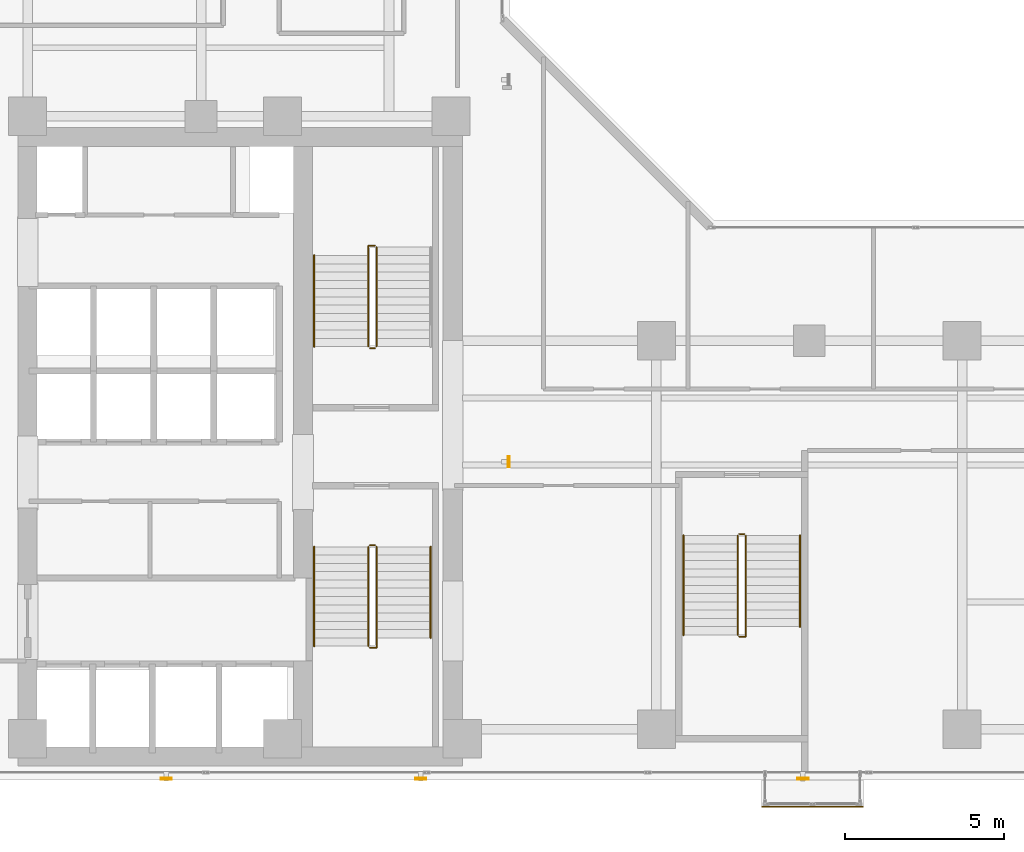
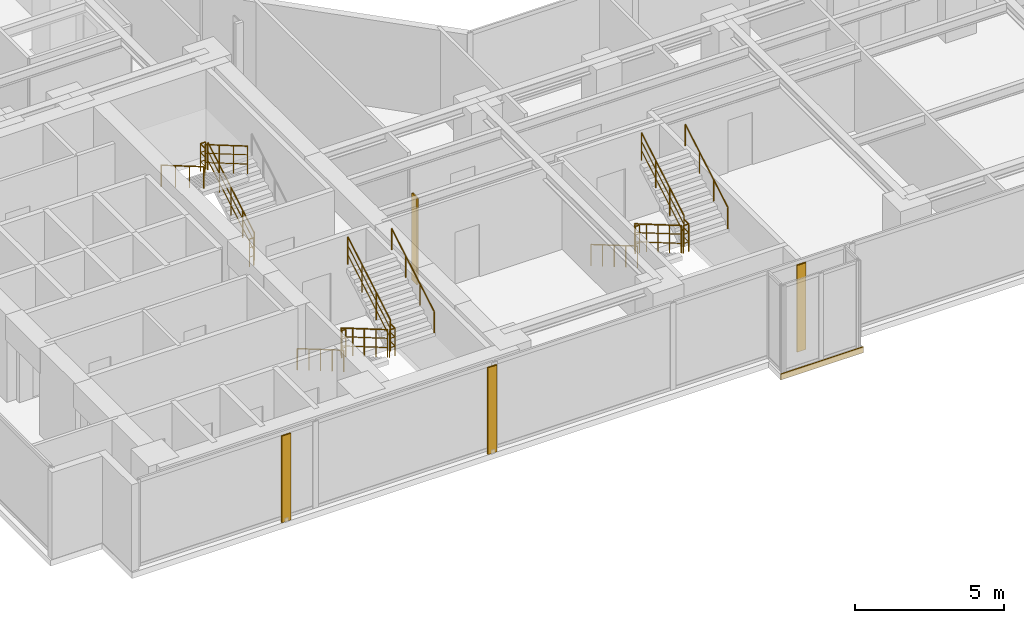
# One storey, part 23 of 24: 17 railings, 4 shading devices, 1 covering.
"""IFC4 building model written with IfcOpenShell, lengths in metres."""

from ifc_helpers import new_model, si_unit, direction, frame, origin, origin_2d, place, context, subcontext, project, spatial, rectangle, hollow_rectangle, circle, extrude, material, layer, layer_set, material_profile, profile_set, type_object, element, save


model = new_model("IFC4")

# Units and contexts
model_context = context("Model", 3, precision=1e-05, world=origin(), true_north=direction((0.0, 1.0)))
body_context = subcontext(model_context, "Body", "Model", "MODEL_VIEW")
ifc_project = project(units=[si_unit("LENGTHUNIT", "METRE"), si_unit("AREAUNIT", "SQUARE_METRE"), si_unit("VOLUMEUNIT", "CUBIC_METRE"), si_unit("PLANEANGLEUNIT", "RADIAN"), si_unit("MASSUNIT", "GRAM", prefix="KILO")], contexts=[model_context])

# Site, building, storey
site_placement = place(None, origin())
site = spatial("IfcSite", under=ifc_project, at=site_placement, CompositionType="ELEMENT")
building_placement = place(site_placement, origin())
building = spatial("IfcBuilding", under=site, at=building_placement, Name="Kolvaren Waterfront Exchange", CompositionType="ELEMENT")
storey_placement = place(building_placement, frame((0.0, 0.0, 157.60009765625)))
storey = spatial("IfcBuildingStorey", under=building, at=storey_placement, Name="L40", CompositionType="ELEMENT", Elevation=157.60009765625)

# Covering
ifc_material_1 = material(Name="Anodised bronze fascia aluminium", Category="aluminium")
ifc_layer = layer(ifc_material_1, 0.034912109375, Name="Anodised bronze fascia aluminium")
ifc_layer_set = layer_set([ifc_layer], Name="Anodised bronze fascia aluminium")
covering_type = type_object("IfcCoveringType", Name="ARC-CLAD-BRONZE-35", PredefinedType="CLADDING", material=ifc_layer_set)
covering_placement = place(storey_placement, frame((32.10009765625, 2.77001953125, -0.22021484375), z_axis=(0.0, 0.0, 1.0), x_axis=(1.0, 0.0, 0.0)))
element("IfcCovering", 1, at=covering_placement, inside=storey, type_object=covering_type, Name="L40 ribbed anodised bronze bay-box fascia", PredefinedType="CLADDING", context=body_context, shape_type="SweptSolid", body=[
    extrude(rectangle(XDim=3.199951171875, YDim=0.034912109375, at=origin_2d()), origin(), (0.0, 0.0, 1.0), 0.239990234375),
])

# Shading devices
ifc_material_2 = material(Name="Anodised bronze aluminium 6063-T6", Category="aluminium")
ifc_material_profile = material_profile(ifc_material_2, hollow_rectangle(XDim=0.06005859375, YDim=0.35009765625, WallThickness=0.0048828125, at=origin_2d()), Name="BRZ-FIN-350x60x5")
ifc_profile_set = profile_set([ifc_material_profile], Name="Anodised bronze aluminium 6063-T6")
shading_device_type = type_object("IfcShadingDeviceType", Name="ARC-FIN-350", PredefinedType="USERDEFINED", material=ifc_profile_set)
for number, where, z_axis, x_axis, name in (
    (2, (11.800048828125, 3.639892578125, 0.0), (0.0, 0.0, 1.0), (0.0, -1.0, 0.0), "L40 anodised bronze solar shading fin FIN-L40-S1"),
    (3, (19.800048828125, 3.639892578125, 0.0), (0.0, 0.0, 1.0), (0.0, -1.0, 0.0), "L40 anodised bronze solar shading fin FIN-L40-S2"),
    (4, (31.800048828125, 3.639892578125, 0.0), (0.0, 0.0, 1.0), (0.0, -1.0, 0.0), "L40 anodised bronze solar shading fin FIN-L40-S3"),
    (5, (22.56005859375, 13.60009765625, 0.0), (0.0, 0.0, 1.0), (1.0, 0.0, 0.0), "L40 anodised bronze solar shading fin FIN-L40-E1"),
):
    element("IfcShadingDevice", number, at=place(storey_placement, frame(where, z_axis=z_axis, x_axis=x_axis)), inside=storey, type_object=shading_device_type, Name=name, ObjectType="SOLAR FIN", PredefinedType="USERDEFINED", context=body_context, shape_type="SweptSolid", body=[
        extrude(hollow_rectangle(XDim=0.06005859375, YDim=0.35009765625, WallThickness=0.0048828125, at=origin_2d()), origin(), (0.0, 0.0, 1.0), 3.559814453125),
    ])

# Railings
ifc_material_3 = material(Name="Stainless steel 316", Category="steel")
railing_type_1 = type_object("IfcRailingType", Name="ARC-GUARD-STAIR", PredefinedType="GUARDRAIL", material=ifc_material_3)
railing_1_placement = place(storey_placement, frame((18.14990234375, 10.929931640625, 0.15185546875)))
element("IfcRailing", 6, at=railing_1_placement, inside=storey, type_object=railing_type_1, Name="L40 ST1 stair guard 1", PredefinedType="GUARDRAIL", context=body_context, shape_type="SweptSolid", body=[
    extrude(circle(Radius=0.02392578125, at=origin_2d()), frame((0.0, 0.0, 1.1259765625), z_axis=(0.0, -0.86329090724, 0.504706656858), x_axis=(1.0, 0.0, 0.0)), (0.0, 0.0, 1.0), 3.614013671875),
    extrude(circle(Radius=0.01611328125, at=origin_2d()), frame((0.0, 0.0, 0.390869140625), z_axis=(0.0, -0.86329090724, 0.504706656858), x_axis=(1.0, 0.0, 0.0)), (0.0, 0.0, 1.0), 3.614013671875),
    extrude(circle(Radius=0.01611328125, at=origin_2d()), frame((0.0, 0.0, 0.7705078125), z_axis=(0.0, -0.86329090724, 0.504706656858), x_axis=(1.0, 0.0, 0.0)), (0.0, 0.0, 1.0), 3.614013671875),
    extrude(circle(Radius=0.02099609375, at=origin_2d()), origin(), (0.0, 0.0, 1.0), 1.101806640625),
    extrude(circle(Radius=0.02099609375, at=origin_2d()), frame((0.0, -0.780029296875, 0.4560546875)), (0.0, 0.0, 1.0), 1.101806640625),
    extrude(circle(Radius=0.02099609375, at=origin_2d()), frame((0.0, -1.56005859375, 0.912109375)), (0.0, 0.0, 1.0), 1.101806640625),
    extrude(circle(Radius=0.02099609375, at=origin_2d()), frame((0.0, -2.33984375, 1.367919921875)), (0.0, 0.0, 1.0), 1.101806640625),
    extrude(circle(Radius=0.02099609375, at=origin_2d()), frame((0.0, -3.119873046875, 1.823974609375)), (0.0, 0.0, 1.0), 1.101806640625),
])
railing_2_placement = place(storey_placement, frame((18.199951171875, 7.760009765625, 1.975830078125)))
element("IfcRailing", 7, at=railing_2_placement, inside=storey, type_object=railing_type_1, Name="L40 ST1 stair guard 2", PredefinedType="GUARDRAIL", context=body_context, shape_type="SweptSolid", body=[
    extrude(circle(Radius=0.02392578125, at=origin_2d()), frame((0.0, 0.0, 1.1259765625), z_axis=(1.0, 0.0, 0.0), x_axis=(0.0, 1.0, 0.0)), (0.0, 0.0, 1.0), 0.2099609375),
    extrude(circle(Radius=0.01611328125, at=origin_2d()), frame((0.0, 0.0, 0.390869140625), z_axis=(1.0, 0.0, 0.0), x_axis=(0.0, 1.0, 0.0)), (0.0, 0.0, 1.0), 0.2099609375),
    extrude(circle(Radius=0.01611328125, at=origin_2d()), frame((0.0, 0.0, 0.7705078125), z_axis=(1.0, 0.0, 0.0), x_axis=(0.0, 1.0, 0.0)), (0.0, 0.0, 1.0), 0.2099609375),
    extrude(circle(Radius=0.02392578125, at=origin_2d()), frame((0.2099609375, 0.0, 1.1259765625), z_axis=(0.0, 1.0, 0.0), x_axis=(-1.0, 0.0, 0.0)), (0.0, 0.0, 1.0), 0.31005859375),
    extrude(circle(Radius=0.01611328125, at=origin_2d()), frame((0.2099609375, 0.0, 0.390869140625), z_axis=(0.0, 1.0, 0.0), x_axis=(-1.0, 0.0, 0.0)), (0.0, 0.0, 1.0), 0.31005859375),
    extrude(circle(Radius=0.01611328125, at=origin_2d()), frame((0.2099609375, 0.0, 0.7705078125), z_axis=(0.0, 1.0, 0.0), x_axis=(-1.0, 0.0, 0.0)), (0.0, 0.0, 1.0), 0.31005859375),
    extrude(circle(Radius=0.02099609375, at=origin_2d()), origin(), (0.0, 0.0, 1.0), 1.101806640625),
    extrude(circle(Radius=0.02099609375, at=origin_2d()), frame((0.2099609375, 0.0, 0.0)), (0.0, 0.0, 1.0), 1.101806640625),
    extrude(circle(Radius=0.02099609375, at=origin_2d()), frame((0.2099609375, 0.31005859375, 0.0)), (0.0, 0.0, 1.0), 1.101806640625),
])
railing_3_placement = place(storey_placement, frame((18.409912109375, 8.070068359375, 2.1279296875)))
element("IfcRailing", 8, at=railing_3_placement, inside=storey, type_object=railing_type_1, Name="L40 ST1 stair guard 3", PredefinedType="GUARDRAIL", context=body_context, shape_type="SweptSolid", body=[
    extrude(circle(Radius=0.02392578125, at=origin_2d()), frame((0.0, 0.0, 1.1259765625), z_axis=(0.0, 0.86330272217, 0.504686447108), x_axis=(-1.0, 0.0, 0.0)), (0.0, 0.0, 1.0), 3.312744140625),
    extrude(circle(Radius=0.01611328125, at=origin_2d()), frame((0.0, 0.0, 0.390869140625), z_axis=(0.0, 0.86330272217, 0.504686447108), x_axis=(-1.0, 0.0, 0.0)), (0.0, 0.0, 1.0), 3.312744140625),
    extrude(circle(Radius=0.01611328125, at=origin_2d()), frame((0.0, 0.0, 0.7705078125), z_axis=(0.0, 0.86330272217, 0.504686447108), x_axis=(-1.0, 0.0, 0.0)), (0.0, 0.0, 1.0), 3.312744140625),
    extrude(circle(Radius=0.02099609375, at=origin_2d()), origin(), (0.0, 0.0, 1.0), 1.101806640625),
    extrude(circle(Radius=0.02099609375, at=origin_2d()), frame((0.0, 0.953369140625, 0.557373046875)), (0.0, 0.0, 1.0), 1.101806640625),
    extrude(circle(Radius=0.02099609375, at=origin_2d()), frame((0.0, 1.906494140625, 1.114501953125)), (0.0, 0.0, 1.0), 1.101806640625),
    extrude(circle(Radius=0.02099609375, at=origin_2d()), frame((0.0, 2.85986328125, 1.671875)), (0.0, 0.0, 1.0), 1.101806640625),
])
railing_4_placement = place(storey_placement, frame((18.199951171875, 10.97998046875, 0.0)))
element("IfcRailing", 9, at=railing_4_placement, inside=storey, type_object=railing_type_1, Name="L40 ST1 stair guard 4", PredefinedType="GUARDRAIL", context=body_context, shape_type="SweptSolid", body=[
    extrude(circle(Radius=0.02392578125, at=origin_2d()), frame((0.0, 0.0, 1.1259765625), z_axis=(1.0, 0.0, 0.0), x_axis=(0.0, 1.0, 0.0)), (0.0, 0.0, 1.0), 0.16015625),
    extrude(circle(Radius=0.01611328125, at=origin_2d()), frame((0.0, 0.0, 0.390869140625), z_axis=(1.0, 0.0, 0.0), x_axis=(0.0, 1.0, 0.0)), (0.0, 0.0, 1.0), 0.16015625),
    extrude(circle(Radius=0.01611328125, at=origin_2d()), frame((0.0, 0.0, 0.7705078125), z_axis=(1.0, 0.0, 0.0), x_axis=(0.0, 1.0, 0.0)), (0.0, 0.0, 1.0), 0.16015625),
    extrude(circle(Radius=0.02099609375, at=origin_2d()), origin(), (0.0, 0.0, 1.0), 1.101806640625),
    extrude(circle(Radius=0.02099609375, at=origin_2d()), frame((0.16015625, 0.0, 0.0)), (0.0, 0.0, 1.0), 1.101806640625),
])
railing_5_placement = place(storey_placement, frame((18.409912109375, 17.219970703125, 0.15185546875)))
element("IfcRailing", 10, at=railing_5_placement, inside=storey, type_object=railing_type_1, Name="L40 ST2 stair guard 1", PredefinedType="GUARDRAIL", context=body_context, shape_type="SweptSolid", body=[
    extrude(circle(Radius=0.02392578125, at=origin_2d()), frame((0.0, 0.0, 1.1259765625), z_axis=(0.0, 0.86330811405, 0.504677223793), x_axis=(-1.0, 0.0, 0.0)), (0.0, 0.0, 1.0), 3.6142578125),
    extrude(circle(Radius=0.01611328125, at=origin_2d()), frame((0.0, 0.0, 0.390869140625), z_axis=(0.0, 0.86330811405, 0.504677223793), x_axis=(-1.0, 0.0, 0.0)), (0.0, 0.0, 1.0), 3.6142578125),
    extrude(circle(Radius=0.01611328125, at=origin_2d()), frame((0.0, 0.0, 0.7705078125), z_axis=(0.0, 0.86330811405, 0.504677223793), x_axis=(-1.0, 0.0, 0.0)), (0.0, 0.0, 1.0), 3.6142578125),
    extrude(circle(Radius=0.02099609375, at=origin_2d()), origin(), (0.0, 0.0, 1.0), 1.101806640625),
    extrude(circle(Radius=0.02099609375, at=origin_2d()), frame((0.0, 0.780029296875, 0.4560546875)), (0.0, 0.0, 1.0), 1.101806640625),
    extrude(circle(Radius=0.02099609375, at=origin_2d()), frame((0.0, 1.56005859375, 0.912109375)), (0.0, 0.0, 1.0), 1.101806640625),
    extrude(circle(Radius=0.02099609375, at=origin_2d()), frame((0.0, 2.340087890625, 1.367919921875)), (0.0, 0.0, 1.0), 1.101806640625),
    extrude(circle(Radius=0.02099609375, at=origin_2d()), frame((0.0, 3.1201171875, 1.823974609375)), (0.0, 0.0, 1.0), 1.101806640625),
])
railing_6_placement = place(storey_placement, frame((18.360107421875, 20.389892578125, 1.975830078125)))
element("IfcRailing", 11, at=railing_6_placement, inside=storey, type_object=railing_type_1, Name="L40 ST2 stair guard 2", PredefinedType="GUARDRAIL", context=body_context, shape_type="SweptSolid", body=[
    extrude(circle(Radius=0.02392578125, at=origin_2d()), frame((0.0, 0.0, 1.1259765625), z_axis=(-1.0, 0.0, 0.0), x_axis=(0.0, -1.0, 0.0)), (0.0, 0.0, 1.0), 0.210205078125),
    extrude(circle(Radius=0.01611328125, at=origin_2d()), frame((0.0, 0.0, 0.390869140625), z_axis=(-1.0, 0.0, 0.0), x_axis=(0.0, -1.0, 0.0)), (0.0, 0.0, 1.0), 0.210205078125),
    extrude(circle(Radius=0.01611328125, at=origin_2d()), frame((0.0, 0.0, 0.7705078125), z_axis=(-1.0, 0.0, 0.0), x_axis=(0.0, -1.0, 0.0)), (0.0, 0.0, 1.0), 0.210205078125),
    extrude(circle(Radius=0.02392578125, at=origin_2d()), frame((-0.210205078125, 0.0, 1.1259765625), z_axis=(0.0, -1.0, 0.0), x_axis=(1.0, 0.0, 0.0)), (0.0, 0.0, 1.0), 0.309814453125),
    extrude(circle(Radius=0.01611328125, at=origin_2d()), frame((-0.210205078125, 0.0, 0.390869140625), z_axis=(0.0, -1.0, 0.0), x_axis=(1.0, 0.0, 0.0)), (0.0, 0.0, 1.0), 0.309814453125),
    extrude(circle(Radius=0.01611328125, at=origin_2d()), frame((-0.210205078125, 0.0, 0.7705078125), z_axis=(0.0, -1.0, 0.0), x_axis=(1.0, 0.0, 0.0)), (0.0, 0.0, 1.0), 0.309814453125),
    extrude(circle(Radius=0.02099609375, at=origin_2d()), origin(), (0.0, 0.0, 1.0), 1.101806640625),
    extrude(circle(Radius=0.02099609375, at=origin_2d()), frame((-0.210205078125, 0.0, 0.0)), (0.0, 0.0, 1.0), 1.101806640625),
    extrude(circle(Radius=0.02099609375, at=origin_2d()), frame((-0.210205078125, -0.309814453125, 0.0)), (0.0, 0.0, 1.0), 1.101806640625),
])
railing_7_placement = place(storey_placement, frame((18.14990234375, 20.080078125, 2.1279296875)))
element("IfcRailing", 12, at=railing_7_placement, inside=storey, type_object=railing_type_1, Name="L40 ST2 stair guard 3", PredefinedType="GUARDRAIL", context=body_context, shape_type="SweptSolid", body=[
    extrude(circle(Radius=0.02392578125, at=origin_2d()), frame((0.0, 0.0, 1.1259765625), z_axis=(0.0, -0.863321491973, 0.504654338629), x_axis=(1.0, 0.0, 0.0)), (0.0, 0.0, 1.0), 3.31298828125),
    extrude(circle(Radius=0.01611328125, at=origin_2d()), frame((0.0, 0.0, 0.390869140625), z_axis=(0.0, -0.863321491973, 0.504654338629), x_axis=(1.0, 0.0, 0.0)), (0.0, 0.0, 1.0), 3.31298828125),
    extrude(circle(Radius=0.01611328125, at=origin_2d()), frame((0.0, 0.0, 0.7705078125), z_axis=(0.0, -0.863321491973, 0.504654338629), x_axis=(1.0, 0.0, 0.0)), (0.0, 0.0, 1.0), 3.31298828125),
    extrude(circle(Radius=0.02099609375, at=origin_2d()), origin(), (0.0, 0.0, 1.0), 1.101806640625),
    extrude(circle(Radius=0.02099609375, at=origin_2d()), frame((0.0, -0.953369140625, 0.557373046875)), (0.0, 0.0, 1.0), 1.101806640625),
    extrude(circle(Radius=0.02099609375, at=origin_2d()), frame((0.0, -1.90673828125, 1.114501953125)), (0.0, 0.0, 1.0), 1.101806640625),
    extrude(circle(Radius=0.02099609375, at=origin_2d()), frame((0.0, -2.860107421875, 1.671875)), (0.0, 0.0, 1.0), 1.101806640625),
])
railing_8_placement = place(storey_placement, frame((18.360107421875, 17.169921875, 0.0)))
element("IfcRailing", 13, at=railing_8_placement, inside=storey, type_object=railing_type_1, Name="L40 ST2 stair guard 4", PredefinedType="GUARDRAIL", context=body_context, shape_type="SweptSolid", body=[
    extrude(circle(Radius=0.02392578125, at=origin_2d()), frame((0.0, 0.0, 1.1259765625), z_axis=(-1.0, 0.0, 0.0), x_axis=(0.0, -1.0, 0.0)), (0.0, 0.0, 1.0), 0.16015625),
    extrude(circle(Radius=0.01611328125, at=origin_2d()), frame((0.0, 0.0, 0.390869140625), z_axis=(-1.0, 0.0, 0.0), x_axis=(0.0, -1.0, 0.0)), (0.0, 0.0, 1.0), 0.16015625),
    extrude(circle(Radius=0.01611328125, at=origin_2d()), frame((0.0, 0.0, 0.7705078125), z_axis=(-1.0, 0.0, 0.0), x_axis=(0.0, -1.0, 0.0)), (0.0, 0.0, 1.0), 0.16015625),
    extrude(circle(Radius=0.02099609375, at=origin_2d()), origin(), (0.0, 0.0, 1.0), 1.101806640625),
    extrude(circle(Radius=0.02099609375, at=origin_2d()), frame((-0.16015625, 0.0, 0.0)), (0.0, 0.0, 1.0), 1.101806640625),
])
railing_9_placement = place(storey_placement, frame((29.75, 11.280029296875, 0.15185546875)))
element("IfcRailing", 14, at=railing_9_placement, inside=storey, type_object=railing_type_1, Name="L40 ST3 stair guard 1", PredefinedType="GUARDRAIL", context=body_context, shape_type="SweptSolid", body=[
    extrude(circle(Radius=0.02392578125, at=origin_2d()), frame((0.0, 0.0, 1.1259765625), z_axis=(0.0, -0.86330811405, 0.504677223793), x_axis=(1.0, 0.0, 0.0)), (0.0, 0.0, 1.0), 3.6142578125),
    extrude(circle(Radius=0.01611328125, at=origin_2d()), frame((0.0, 0.0, 0.390869140625), z_axis=(0.0, -0.86330811405, 0.504677223793), x_axis=(1.0, 0.0, 0.0)), (0.0, 0.0, 1.0), 3.6142578125),
    extrude(circle(Radius=0.01611328125, at=origin_2d()), frame((0.0, 0.0, 0.7705078125), z_axis=(0.0, -0.86330811405, 0.504677223793), x_axis=(1.0, 0.0, 0.0)), (0.0, 0.0, 1.0), 3.6142578125),
    extrude(circle(Radius=0.02099609375, at=origin_2d()), origin(), (0.0, 0.0, 1.0), 1.101806640625),
    extrude(circle(Radius=0.02099609375, at=origin_2d()), frame((0.0, -0.780029296875, 0.4560546875)), (0.0, 0.0, 1.0), 1.101806640625),
    extrude(circle(Radius=0.02099609375, at=origin_2d()), frame((0.0, -1.56005859375, 0.912109375)), (0.0, 0.0, 1.0), 1.101806640625),
    extrude(circle(Radius=0.02099609375, at=origin_2d()), frame((0.0, -2.340087890625, 1.367919921875)), (0.0, 0.0, 1.0), 1.101806640625),
    extrude(circle(Radius=0.02099609375, at=origin_2d()), frame((0.0, -3.1201171875, 1.823974609375)), (0.0, 0.0, 1.0), 1.101806640625),
])
railing_10_placement = place(storey_placement, frame((29.800048828125, 8.110107421875, 1.975830078125)))
element("IfcRailing", 15, at=railing_10_placement, inside=storey, type_object=railing_type_1, Name="L40 ST3 stair guard 2", PredefinedType="GUARDRAIL", context=body_context, shape_type="SweptSolid", body=[
    extrude(circle(Radius=0.02392578125, at=origin_2d()), frame((0.0, 0.0, 1.1259765625), z_axis=(1.0, 0.0, 0.0), x_axis=(0.0, 1.0, 0.0)), (0.0, 0.0, 1.0), 0.2099609375),
    extrude(circle(Radius=0.01611328125, at=origin_2d()), frame((0.0, 0.0, 0.390869140625), z_axis=(1.0, 0.0, 0.0), x_axis=(0.0, 1.0, 0.0)), (0.0, 0.0, 1.0), 0.2099609375),
    extrude(circle(Radius=0.01611328125, at=origin_2d()), frame((0.0, 0.0, 0.7705078125), z_axis=(1.0, 0.0, 0.0), x_axis=(0.0, 1.0, 0.0)), (0.0, 0.0, 1.0), 0.2099609375),
    extrude(circle(Radius=0.02392578125, at=origin_2d()), frame((0.2099609375, 0.0, 1.1259765625), z_axis=(0.0, 1.0, 0.0), x_axis=(-1.0, 0.0, 0.0)), (0.0, 0.0, 1.0), 0.309814453125),
    extrude(circle(Radius=0.01611328125, at=origin_2d()), frame((0.2099609375, 0.0, 0.390869140625), z_axis=(0.0, 1.0, 0.0), x_axis=(-1.0, 0.0, 0.0)), (0.0, 0.0, 1.0), 0.309814453125),
    extrude(circle(Radius=0.01611328125, at=origin_2d()), frame((0.2099609375, 0.0, 0.7705078125), z_axis=(0.0, 1.0, 0.0), x_axis=(-1.0, 0.0, 0.0)), (0.0, 0.0, 1.0), 0.309814453125),
    extrude(circle(Radius=0.02099609375, at=origin_2d()), origin(), (0.0, 0.0, 1.0), 1.101806640625),
    extrude(circle(Radius=0.02099609375, at=origin_2d()), frame((0.2099609375, 0.0, 0.0)), (0.0, 0.0, 1.0), 1.101806640625),
    extrude(circle(Radius=0.02099609375, at=origin_2d()), frame((0.2099609375, 0.309814453125, 0.0)), (0.0, 0.0, 1.0), 1.101806640625),
])
railing_11_placement = place(storey_placement, frame((30.010009765625, 8.419921875, 2.1279296875)))
element("IfcRailing", 16, at=railing_11_placement, inside=storey, type_object=railing_type_1, Name="L40 ST3 stair guard 3", PredefinedType="GUARDRAIL", context=body_context, shape_type="SweptSolid", body=[
    extrude(circle(Radius=0.02392578125, at=origin_2d()), frame((0.0, 0.0, 1.1259765625), z_axis=(0.0, 0.863321491973, 0.504654338629), x_axis=(-1.0, 0.0, 0.0)), (0.0, 0.0, 1.0), 3.31298828125),
    extrude(circle(Radius=0.01611328125, at=origin_2d()), frame((0.0, 0.0, 0.390869140625), z_axis=(0.0, 0.863321491973, 0.504654338629), x_axis=(-1.0, 0.0, 0.0)), (0.0, 0.0, 1.0), 3.31298828125),
    extrude(circle(Radius=0.01611328125, at=origin_2d()), frame((0.0, 0.0, 0.7705078125), z_axis=(0.0, 0.863321491973, 0.504654338629), x_axis=(-1.0, 0.0, 0.0)), (0.0, 0.0, 1.0), 3.31298828125),
    extrude(circle(Radius=0.02099609375, at=origin_2d()), origin(), (0.0, 0.0, 1.0), 1.101806640625),
    extrude(circle(Radius=0.02099609375, at=origin_2d()), frame((0.0, 0.953369140625, 0.557373046875)), (0.0, 0.0, 1.0), 1.101806640625),
    extrude(circle(Radius=0.02099609375, at=origin_2d()), frame((0.0, 1.90673828125, 1.114501953125)), (0.0, 0.0, 1.0), 1.101806640625),
    extrude(circle(Radius=0.02099609375, at=origin_2d()), frame((0.0, 2.860107421875, 1.671875)), (0.0, 0.0, 1.0), 1.101806640625),
])
railing_12_placement = place(storey_placement, frame((29.800048828125, 11.330078125, 0.0)))
element("IfcRailing", 17, at=railing_12_placement, inside=storey, type_object=railing_type_1, Name="L40 ST3 stair guard 4", PredefinedType="GUARDRAIL", context=body_context, shape_type="SweptSolid", body=[
    extrude(circle(Radius=0.02392578125, at=origin_2d()), frame((0.0, 0.0, 1.1259765625), z_axis=(1.0, 0.0, 0.0), x_axis=(0.0, 1.0, 0.0)), (0.0, 0.0, 1.0), 0.159912109375),
    extrude(circle(Radius=0.01611328125, at=origin_2d()), frame((0.0, 0.0, 0.390869140625), z_axis=(1.0, 0.0, 0.0), x_axis=(0.0, 1.0, 0.0)), (0.0, 0.0, 1.0), 0.159912109375),
    extrude(circle(Radius=0.01611328125, at=origin_2d()), frame((0.0, 0.0, 0.7705078125), z_axis=(1.0, 0.0, 0.0), x_axis=(0.0, 1.0, 0.0)), (0.0, 0.0, 1.0), 0.159912109375),
    extrude(circle(Radius=0.02099609375, at=origin_2d()), origin(), (0.0, 0.0, 1.0), 1.101806640625),
    extrude(circle(Radius=0.02099609375, at=origin_2d()), frame((0.159912109375, 0.0, 0.0)), (0.0, 0.0, 1.0), 1.101806640625),
])
railing_type_2 = type_object("IfcRailingType", Name="ARC-HANDRAIL-900", PredefinedType="HANDRAIL", material=ifc_material_3)
railing_13_placement = place(storey_placement, frame((16.449951171875, 10.929931640625, 0.15185546875)))
element("IfcRailing", 18, at=railing_13_placement, inside=storey, type_object=railing_type_2, Name="L40 ST1 stair handrail 1", PredefinedType="HANDRAIL", context=body_context, shape_type="SweptSolid", body=[
    extrude(circle(Radius=0.02392578125, at=origin_2d()), frame((0.0, 0.0, 0.8759765625), z_axis=(0.0, -0.86329090724, 0.504706656858), x_axis=(1.0, 0.0, 0.0)), (0.0, 0.0, 1.0), 3.614013671875),
    extrude(circle(Radius=0.02099609375, at=origin_2d()), origin(), (0.0, 0.0, 1.0), 0.851806640625),
    extrude(circle(Radius=0.02099609375, at=origin_2d()), frame((0.0, -0.780029296875, 0.4560546875)), (0.0, 0.0, 1.0), 0.851806640625),
    extrude(circle(Radius=0.02099609375, at=origin_2d()), frame((0.0, -1.56005859375, 0.912109375)), (0.0, 0.0, 1.0), 0.851806640625),
    extrude(circle(Radius=0.02099609375, at=origin_2d()), frame((0.0, -2.33984375, 1.367919921875)), (0.0, 0.0, 1.0), 0.851806640625),
    extrude(circle(Radius=0.02099609375, at=origin_2d()), frame((0.0, -3.119873046875, 1.823974609375)), (0.0, 0.0, 1.0), 0.851806640625),
])
railing_14_placement = place(storey_placement, frame((20.110107421875, 8.070068359375, 2.1279296875)))
element("IfcRailing", 19, at=railing_14_placement, inside=storey, type_object=railing_type_2, Name="L40 ST1 stair handrail 2", PredefinedType="HANDRAIL", context=body_context, shape_type="SweptSolid", body=[
    extrude(circle(Radius=0.02392578125, at=origin_2d()), frame((0.0, 0.0, 0.8759765625), z_axis=(0.0, 0.86330272217, 0.504686447108), x_axis=(-1.0, 0.0, 0.0)), (0.0, 0.0, 1.0), 3.312744140625),
    extrude(circle(Radius=0.02099609375, at=origin_2d()), origin(), (0.0, 0.0, 1.0), 0.851806640625),
    extrude(circle(Radius=0.02099609375, at=origin_2d()), frame((0.0, 0.953369140625, 0.557373046875)), (0.0, 0.0, 1.0), 0.851806640625),
    extrude(circle(Radius=0.02099609375, at=origin_2d()), frame((0.0, 1.906494140625, 1.114501953125)), (0.0, 0.0, 1.0), 0.851806640625),
    extrude(circle(Radius=0.02099609375, at=origin_2d()), frame((0.0, 2.85986328125, 1.671875)), (0.0, 0.0, 1.0), 0.851806640625),
])
railing_15_placement = place(storey_placement, frame((16.449951171875, 20.080078125, 2.1279296875)))
element("IfcRailing", 20, at=railing_15_placement, inside=storey, type_object=railing_type_2, Name="L40 ST2 stair handrail 2", PredefinedType="HANDRAIL", context=body_context, shape_type="SweptSolid", body=[
    extrude(circle(Radius=0.02392578125, at=origin_2d()), frame((0.0, 0.0, 0.8759765625), z_axis=(0.0, -0.863321491973, 0.504654338629), x_axis=(1.0, 0.0, 0.0)), (0.0, 0.0, 1.0), 3.31298828125),
    extrude(circle(Radius=0.02099609375, at=origin_2d()), origin(), (0.0, 0.0, 1.0), 0.851806640625),
    extrude(circle(Radius=0.02099609375, at=origin_2d()), frame((0.0, -0.953369140625, 0.557373046875)), (0.0, 0.0, 1.0), 0.851806640625),
    extrude(circle(Radius=0.02099609375, at=origin_2d()), frame((0.0, -1.90673828125, 1.114501953125)), (0.0, 0.0, 1.0), 0.851806640625),
    extrude(circle(Radius=0.02099609375, at=origin_2d()), frame((0.0, -2.860107421875, 1.671875)), (0.0, 0.0, 1.0), 0.851806640625),
])
railing_16_placement = place(storey_placement, frame((28.050048828125, 11.280029296875, 0.15185546875)))
element("IfcRailing", 21, at=railing_16_placement, inside=storey, type_object=railing_type_2, Name="L40 ST3 stair handrail 1", PredefinedType="HANDRAIL", context=body_context, shape_type="SweptSolid", body=[
    extrude(circle(Radius=0.02392578125, at=origin_2d()), frame((0.0, 0.0, 0.8759765625), z_axis=(0.0, -0.86330811405, 0.504677223793), x_axis=(1.0, 0.0, 0.0)), (0.0, 0.0, 1.0), 3.6142578125),
    extrude(circle(Radius=0.02099609375, at=origin_2d()), origin(), (0.0, 0.0, 1.0), 0.851806640625),
    extrude(circle(Radius=0.02099609375, at=origin_2d()), frame((0.0, -0.780029296875, 0.4560546875)), (0.0, 0.0, 1.0), 0.851806640625),
    extrude(circle(Radius=0.02099609375, at=origin_2d()), frame((0.0, -1.56005859375, 0.912109375)), (0.0, 0.0, 1.0), 0.851806640625),
    extrude(circle(Radius=0.02099609375, at=origin_2d()), frame((0.0, -2.340087890625, 1.367919921875)), (0.0, 0.0, 1.0), 0.851806640625),
    extrude(circle(Radius=0.02099609375, at=origin_2d()), frame((0.0, -3.1201171875, 1.823974609375)), (0.0, 0.0, 1.0), 0.851806640625),
])
railing_17_placement = place(storey_placement, frame((31.7099609375, 8.419921875, 2.1279296875)))
element("IfcRailing", 22, at=railing_17_placement, inside=storey, type_object=railing_type_2, Name="L40 ST3 stair handrail 2", PredefinedType="HANDRAIL", context=body_context, shape_type="SweptSolid", body=[
    extrude(circle(Radius=0.02392578125, at=origin_2d()), frame((0.0, 0.0, 0.8759765625), z_axis=(0.0, 0.863321491973, 0.504654338629), x_axis=(-1.0, 0.0, 0.0)), (0.0, 0.0, 1.0), 3.31298828125),
    extrude(circle(Radius=0.02099609375, at=origin_2d()), origin(), (0.0, 0.0, 1.0), 0.851806640625),
    extrude(circle(Radius=0.02099609375, at=origin_2d()), frame((0.0, 0.953369140625, 0.557373046875)), (0.0, 0.0, 1.0), 0.851806640625),
    extrude(circle(Radius=0.02099609375, at=origin_2d()), frame((0.0, 1.90673828125, 1.114501953125)), (0.0, 0.0, 1.0), 0.851806640625),
    extrude(circle(Radius=0.02099609375, at=origin_2d()), frame((0.0, 2.860107421875, 1.671875)), (0.0, 0.0, 1.0), 0.851806640625),
])

save(model, "model.ifc")
